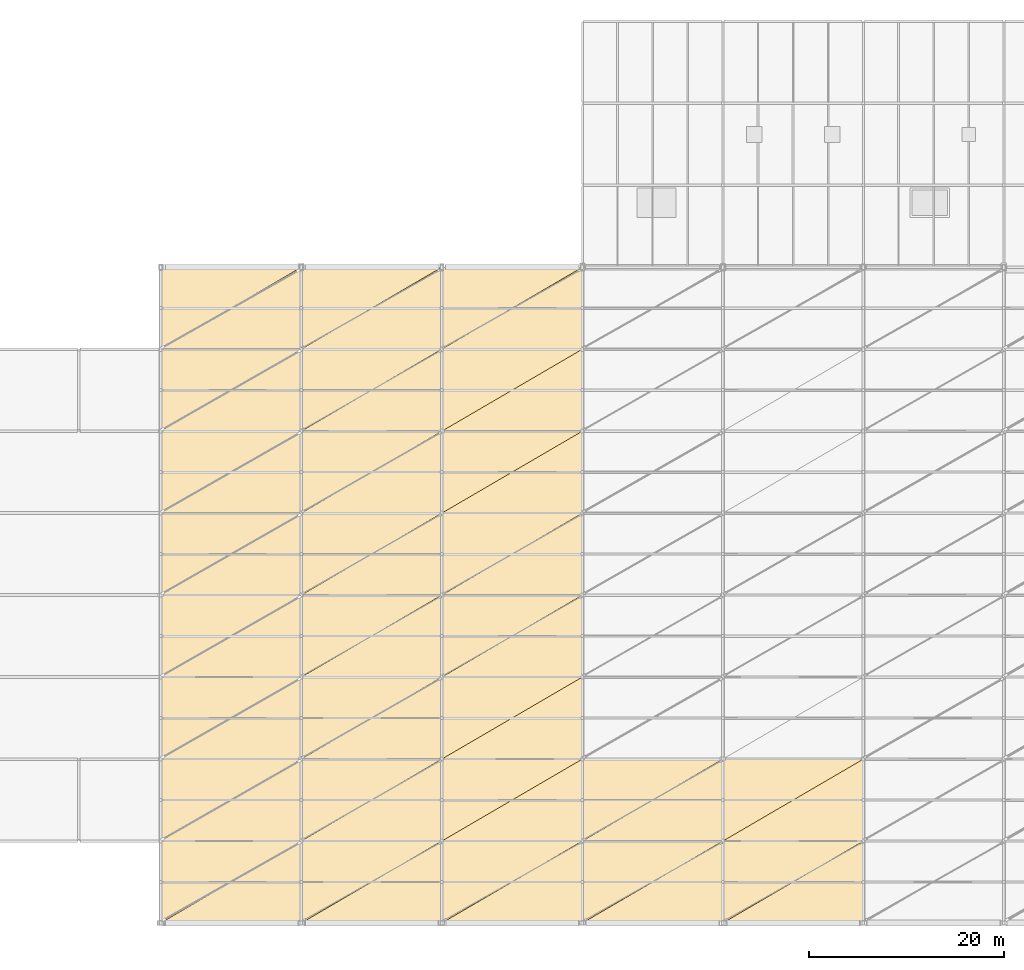
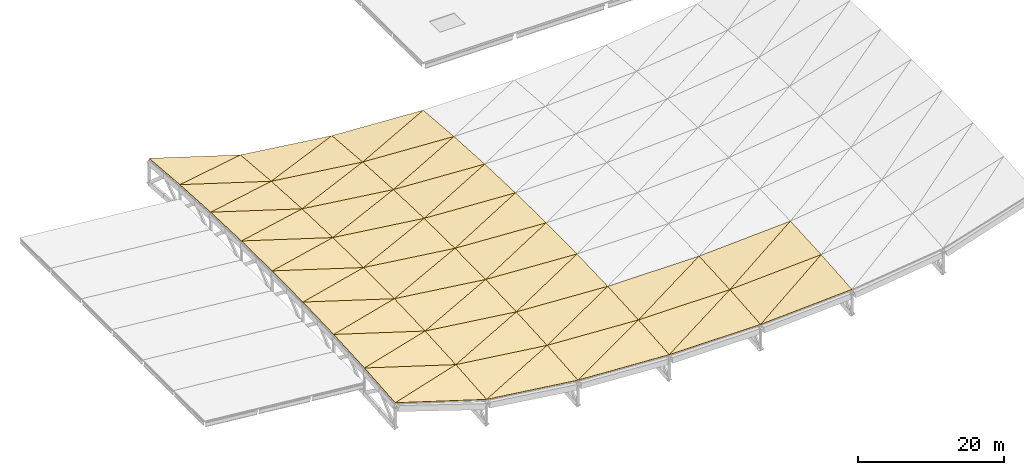
# One storey, part 21 of 22: 56 coverings.
"""IFC4 building model written with IfcOpenShell, lengths in metres."""

from ifc_helpers import new_model, si_unit, direction, frame, origin, place, context, subcontext, project, spatial, polyline, outline, extrude, material, layer, layer_set, type_object, element, save


model = new_model("IFC4")

# Units and contexts
model_context = context("Model", 3, precision=1e-05, world=origin(), true_north=direction((0.0, 1.0)))
body_context = subcontext(model_context, "Body", "Model", "MODEL_VIEW")
ifc_project = project(units=[si_unit("LENGTHUNIT", "METRE"), si_unit("AREAUNIT", "SQUARE_METRE"), si_unit("VOLUMEUNIT", "CUBIC_METRE"), si_unit("PLANEANGLEUNIT", "RADIAN"), si_unit("MASSUNIT", "GRAM", prefix="KILO"), si_unit("THERMODYNAMICTEMPERATUREUNIT", "KELVIN")], contexts=[model_context])

# Site, building, storey
site_placement = place(None, origin())
site = spatial("IfcSite", under=ifc_project, at=site_placement, CompositionType="ELEMENT")
building_placement = place(site_placement, origin())
building = spatial("IfcBuilding", under=site, at=building_placement, Name="Nduvali Passage Aquatics Centre", CompositionType="ELEMENT")
storey_placement = place(building_placement, frame((0.0, 0.0, 21.60009765625)))
storey = spatial("IfcBuildingStorey", under=building, at=storey_placement, Name="RF", CompositionType="ELEMENT", Elevation=21.60009765625)

# Coverings
ifc_material = material(Name="Aluminium EN AW-6063 T6", Category="aluminium")
ifc_layer = layer(ifc_material, 0.06005859375, Name="Aluminium EN AW-6063 T6")
ifc_layer_set = layer_set([ifc_layer], Name="Aluminium EN AW-6063 T6")
covering_type = type_object("IfcCoveringType", Name="ARCH-COV-ROOFING", PredefinedType="ROOFING", material=ifc_layer_set)
covering_1_placement = place(storey_placement, frame((25.199951171875, 25.199951171875, -0.7451171875), z_axis=(0.296052511984, -0.079343294942, 0.951870554065), x_axis=(0.954880958395, 0.0, -0.296988813417)))
element("IfcCovering", 1, at=covering_1_placement, inside=storey, type_object=covering_type, Name="Pool Hall Standing-Seam Roof Cladding B1-P1-T1", PredefinedType="ROOFING", context=body_context, shape_type="SweptSolid", body=[
    extrude(outline(polyline([(0.0, 0.0), (15.080567224399719, 0.0), (14.87261704938042, 8.426712951045271), (0.0, 0.0)])), origin(), (0.0, 0.0, -1.0), 0.06005859375),
])
covering_2_placement = place(storey_placement, frame((25.199951171875, 25.199951171875, -0.7451171875), z_axis=(0.29603843799, -0.079316182928, 0.951877190796), x_axis=(0.842410286637, 0.491409571102, -0.221046471124)))
element("IfcCovering", 2, at=covering_2_placement, inside=storey, type_object=covering_type, Name="Pool Hall Standing-Seam Roof Cladding B1-P1-T2", PredefinedType="ROOFING", context=body_context, shape_type="SweptSolid", body=[
    extrude(outline(polyline([(0.0, 0.0), (17.093982246885457, 8.881784197001252e-16), (3.9731906445826737, 7.434120573663544), (0.0, 0.0)])), origin(), (0.0, 0.0, -1.0), 0.06005859375),
])
covering_3_placement = place(storey_placement, frame((25.199951171875, 33.60009765625, -0.045166015625), z_axis=(0.296495497048, -0.056747493724, 0.953346811075), x_axis=(0.95488554935, 0.0, -0.296974052138)))
element("IfcCovering", 3, at=covering_3_placement, inside=storey, type_object=covering_type, Name="Pool Hall Standing-Seam Roof Cladding B1-P2-T1", PredefinedType="ROOFING", context=body_context, shape_type="SweptSolid", body=[
    extrude(outline(polyline([(0.0, 0.0), (15.0804947191671, -2.7755575615628914e-17), (14.932007693097994, 8.413460107923845), (0.0, 0.0)])), origin(), (0.0, 0.0, -1.0), 0.06005859375),
])
covering_4_placement = place(storey_placement, frame((25.199951171875, 33.60009765625, -0.045166015625), z_axis=(0.296495497048, -0.056747493724, 0.953346811075), x_axis=(0.840189232109, 0.490099701947, -0.232129998923)))
element("IfcCovering", 4, at=covering_4_placement, inside=storey, type_object=covering_type, Name="Pool Hall Standing-Seam Roof Cladding B1-P2-T2", PredefinedType="ROOFING", context=body_context, shape_type="SweptSolid", body=[
    extrude(outline(polyline([(0.0, 0.0), (17.139170479762537, 1.1102230246251565e-16), (4.000724635594311, 7.4028752370066), (0.0, 0.0)])), origin(), (0.0, 0.0, -1.0), 0.06005859375),
])
covering_5_placement = place(storey_placement, frame((25.199951171875, 42.0, 0.454833984375), z_axis=(0.296801729878, -0.034061473047, 0.954331467151), x_axis=(0.95488554935, 0.0, -0.296974052138)))
element("IfcCovering", 5, at=covering_5_placement, inside=storey, type_object=covering_type, Name="Pool Hall Standing-Seam Roof Cladding B1-P3-T1", PredefinedType="ROOFING", context=body_context, shape_type="SweptSolid", body=[
    extrude(outline(polyline([(0.0, 0.0), (15.0804947191671, 2.7755575615628914e-17), (14.991460506270194, 8.404779303712711), (0.0, 0.0)])), origin(), (0.0, 0.0, -1.0), 0.06005859375),
])
covering_6_placement = place(storey_placement, frame((25.199951171875, 42.0, 0.454833984375), z_axis=(0.296816203711, -0.034089014478, 0.954325982202), x_axis=(0.837863510228, 0.488743060423, -0.243135680468)))
element("IfcCovering", 6, at=covering_6_placement, inside=storey, type_object=covering_type, Name="Pool Hall Standing-Seam Roof Cladding B1-P3-T2", PredefinedType="ROOFING", context=body_context, shape_type="SweptSolid", body=[
    extrude(outline(polyline([(0.0, 0.0), (17.18674498720385, 1.2212453270876722e-15), (4.0324414027360325, 7.374808812253794), (0.0, 0.0)])), origin(), (0.0, 0.0, -1.0), 0.06005859375),
])
covering_7_placement = place(storey_placement, frame((25.199951171875, 50.39990234375, 0.7548828125), z_axis=(0.296969589561, -0.011377796709, 0.954819149692), x_axis=(0.954880958395, 0.0, -0.296988813417)))
element("IfcCovering", 7, at=covering_7_placement, inside=storey, type_object=covering_type, Name="Pool Hall Standing-Seam Roof Cladding B1-P4-T1", PredefinedType="ROOFING", context=body_context, shape_type="SweptSolid", body=[
    extrude(outline(polyline([(0.0, 0.0), (15.080567224399719, 0.0), (15.05083934024424, 8.40069025453552), (0.0, 0.0)])), origin(), (0.0, 0.0, -1.0), 0.06005859375),
])
covering_8_placement = place(storey_placement, frame((25.199951171875, 50.39990234375, 0.7548828125), z_axis=(0.296969589561, -0.011377796709, 0.954819149692), x_axis=(0.835441511331, 0.487344422636, -0.254033255442)))
element("IfcCovering", 8, at=covering_8_placement, inside=storey, type_object=covering_type, Name="Pool Hall Standing-Seam Roof Cladding B1-P4-T2", PredefinedType="ROOFING", context=body_context, shape_type="SweptSolid", body=[
    extrude(outline(polyline([(0.0, 0.0), (17.23657047090551, 4.440892098500626e-16), (4.068336405009613, 7.349906080720889), (0.0, 0.0)])), origin(), (0.0, 0.0, -1.0), 0.06005859375),
])
covering_9_placement = place(storey_placement, frame((25.199951171875, 58.800048828125, 0.85498046875), z_axis=(0.296969588444, 0.011378127359, 0.954819146099), x_axis=(0.954880958395, 0.0, -0.296988813417)))
element("IfcCovering", 9, at=covering_9_placement, inside=storey, type_object=covering_type, Name="Pool Hall Standing-Seam Roof Cladding B1-P5-T1", PredefinedType="ROOFING", context=body_context, shape_type="SweptSolid", body=[
    extrude(outline(polyline([(0.0, 0.0), (15.080567224399719, 0.0), (15.110295108555196, 8.40044612971401), (0.0, 0.0)])), origin(), (0.0, 0.0, -1.0), 0.06005859375),
])
covering_10_placement = place(storey_placement, frame((25.199951171875, 58.800048828125, 0.85498046875), z_axis=(0.296969588444, 0.011378127359, 0.954819146099), x_axis=(0.832937274385, 0.485869485487, -0.264851543345)))
element("IfcCovering", 10, at=covering_10_placement, inside=storey, type_object=covering_type, Name="Pool Hall Standing-Seam Roof Cladding B1-P5-T2", PredefinedType="ROOFING", context=body_context, shape_type="SweptSolid", body=[
    extrude(outline(polyline([(0.0, 0.0), (17.288392448283165, 2.220446049250313e-16), (4.1077672486444365, 7.327661779605253), (0.0, 0.0)])), origin(), (0.0, 0.0, -1.0), 0.06005859375),
])
covering_11_placement = place(storey_placement, frame((25.199951171875, 67.199951171875, 0.7548828125), z_axis=(0.296816494255, 0.03406032067, 0.954326916362), x_axis=(0.954880958395, 0.0, -0.296988813417)))
element("IfcCovering", 11, at=covering_11_placement, inside=storey, type_object=covering_type, Name="Pool Hall Standing-Seam Roof Cladding B1-P6-T1", PredefinedType="ROOFING", context=body_context, shape_type="SweptSolid", body=[
    extrude(outline(polyline([(0.0, 0.0), (15.080567224399719, 0.0), (15.169605862797102, 8.405023255796321), (0.0, 0.0)])), origin(), (0.0, 0.0, -1.0), 0.06005859375),
])
covering_12_placement = place(storey_placement, frame((25.199951171875, 67.199951171875, 0.7548828125), z_axis=(0.296801459378, 0.034088188572, 0.954330597388), x_axis=(0.830339869446, 0.484368443247, -0.275541126505)))
element("IfcCovering", 12, at=covering_12_placement, inside=storey, type_object=covering_type, Name="Pool Hall Standing-Seam Roof Cladding B1-P6-T2", PredefinedType="ROOFING", context=body_context, shape_type="SweptSolid", body=[
    extrude(outline(polyline([(0.0, 0.0), (17.342472660006855, -2.220446049250313e-16), (4.1514416677886326, 7.308763393157915), (0.0, 0.0)])), origin(), (0.0, 0.0, -1.0), 0.06005859375),
])
covering_13_placement = place(storey_placement, frame((25.199951171875, 75.60009765625, 0.454833984375), z_axis=(0.296495497048, 0.056747493724, 0.953346811075), x_axis=(0.95488554935, 0.0, -0.296974052138)))
element("IfcCovering", 13, at=covering_13_placement, inside=storey, type_object=covering_type, Name="Pool Hall Standing-Seam Roof Cladding B1-P7-T1", PredefinedType="ROOFING", context=body_context, shape_type="SweptSolid", body=[
    extrude(outline(polyline([(0.0, 0.0), (15.0804947191671, 2.7755575615628914e-17), (15.228981745236208, 8.413460107923843), (0.0, 0.0)])), origin(), (0.0, 0.0, -1.0), 0.06005859375),
])
covering_14_placement = place(storey_placement, frame((25.199951171875, 75.60009765625, 0.454833984375), z_axis=(0.296495497048, 0.056747493724, 0.953346811075), x_axis=(0.827665437779, 0.482794314501, -0.286146069328)))
element("IfcCovering", 14, at=covering_14_placement, inside=storey, type_object=covering_type, Name="Pool Hall Standing-Seam Roof Cladding B1-P7-T2", PredefinedType="ROOFING", context=body_context, shape_type="SweptSolid", body=[
    extrude(outline(polyline([(0.0, 0.0), (17.39851131517762, -7.216449660063518e-16), (4.198498128590666, 7.292528563451598), (0.0, 0.0)])), origin(), (0.0, 0.0, -1.0), 0.06005859375),
])
covering_15_placement = place(storey_placement, frame((25.199951171875, 84.0, -0.045166015625), z_axis=(0.296037734114, 0.079345965595, 0.951874927564), x_axis=(0.95488554935, 0.0, -0.296974052138)))
element("IfcCovering", 15, at=covering_15_placement, inside=storey, type_object=covering_type, Name="Pool Hall Standing-Seam Roof Cladding B1-P8-T1", PredefinedType="ROOFING", context=body_context, shape_type="SweptSolid", body=[
    extrude(outline(polyline([(0.0, 0.0), (15.0804947191671, 0.0), (15.28843455840841, 8.426469835194334), (0.0, 0.0)])), origin(), (0.0, 0.0, -1.0), 0.06005859375),
])
covering_16_placement = place(storey_placement, frame((25.199951171875, 84.0, -0.045166015625), z_axis=(0.296053107585, 0.079318094773, 0.951872469048), x_axis=(0.824899461949, 0.481180863771, -0.296657806264)))
element("IfcCovering", 16, at=covering_16_placement, inside=storey, type_object=covering_type, Name="Pool Hall Standing-Seam Roof Cladding B1-P8-T2", PredefinedType="ROOFING", context=body_context, shape_type="SweptSolid", body=[
    extrude(outline(polyline([(0.0, 0.0), (17.456850378294952, 2.7755575615628914e-16), (4.249518244498318, 7.279415204343126), (0.0, 0.0)])), origin(), (0.0, 0.0, -1.0), 0.06005859375),
])
covering_17_placement = place(storey_placement, frame((39.60009765625, 25.199951171875, -5.223876953125), z_axis=(0.126026402554, -0.082376215314, 0.988600781413), x_axis=(0.99197219333, 0.0, -0.126456188696)))
element("IfcCovering", 17, at=covering_17_placement, inside=storey, type_object=covering_type, Name="Pool Hall Standing-Seam Roof Cladding B2-P1-T1", PredefinedType="ROOFING", context=body_context, shape_type="SweptSolid", body=[
    extrude(outline(polyline([(0.0, 0.0), (14.516437497512612, 0.0), (14.427924340044202, 8.428793390688957), (0.0, 0.0)])), origin(), (0.0, 0.0, -1.0), 0.06005859375),
])
covering_18_placement = place(storey_placement, frame((39.60009765625, 25.199951171875, -5.223876953125), z_axis=(0.126042598973, -0.08240457871, 0.988596352741), x_axis=(0.861776021056, 0.502714854641, -0.067969584788)))
element("IfcCovering", 18, at=covering_18_placement, inside=storey, type_object=covering_type, Name="Pool Hall Standing-Seam Roof Cladding B2-P1-T2", PredefinedType="ROOFING", context=body_context, shape_type="SweptSolid", body=[
    extrude(outline(polyline([(0.0, 0.0), (16.7095648891574, -3.3306690738754696e-16), (4.175286434198694, 7.322548574574361), (0.0, 0.0)])), origin(), (0.0, 0.0, -1.0), 0.06005859375),
])
covering_19_placement = place(storey_placement, frame((39.60009765625, 33.60009765625, -4.523681640625), z_axis=(0.126252839657, -0.058943860519, 0.990245344238), x_axis=(0.991970083502, 0.0, -0.126472737919)))
element("IfcCovering", 19, at=covering_19_placement, inside=storey, type_object=covering_type, Name="Pool Hall Standing-Seam Roof Cladding B2-P2-T1", PredefinedType="ROOFING", context=body_context, shape_type="SweptSolid", body=[
    extrude(outline(polyline([(0.0, 0.0), (14.516468372625727, 0.0), (14.453232003666246, 8.414532699216133), (0.0, 0.0)])), origin(), (0.0, 0.0, -1.0), 0.06005859375),
])
covering_20_placement = place(storey_placement, frame((39.60009765625, 33.60009765625, -4.523681640625), z_axis=(0.126252839657, -0.058943860519, 0.990245344238), x_axis=(0.861019722397, 0.50225907173, -0.079880301125)))
element("IfcCovering", 20, at=covering_20_placement, inside=storey, type_object=covering_type, Name="Pool Hall Standing-Seam Roof Cladding B2-P2-T2", PredefinedType="ROOFING", context=body_context, shape_type="SweptSolid", body=[
    extrude(outline(polyline([(0.0, 0.0), (16.724242162142346, -6.38378239159465e-16), (4.178987003234346, 7.3037269261203335), (0.0, 0.0)])), origin(), (0.0, 0.0, -1.0), 0.06005859375),
])
covering_21_placement = place(storey_placement, frame((39.60009765625, 42.0, -4.023681640625), z_axis=(0.12639341645, -0.035411457741, 0.991347937376), x_axis=(0.991970083502, 0.0, -0.126472737919)))
element("IfcCovering", 21, at=covering_21_placement, inside=storey, type_object=covering_type, Name="Pool Hall Standing-Seam Roof Cladding B2-P3-T1", PredefinedType="ROOFING", context=body_context, shape_type="SweptSolid", body=[
    extrude(outline(polyline([(0.0, 0.0), (14.516468372625727, 0.0), (14.478520375823383, 8.405173920469142), (0.0, 0.0)])), origin(), (0.0, 0.0, -1.0), 0.06005859375),
])
covering_22_placement = place(storey_placement, frame((39.60009765625, 42.0, -4.023681640625), z_axis=(0.126377006162, -0.035382755761, 0.991351054323), x_axis=(0.860137243691, 0.501744294979, -0.091741945001)))
element("IfcCovering", 22, at=covering_22_placement, inside=storey, type_object=covering_type, Name="Pool Hall Standing-Seam Roof Cladding B2-P3-T2", PredefinedType="ROOFING", context=body_context, shape_type="SweptSolid", body=[
    extrude(outline(polyline([(0.0, 0.0), (16.74140080478535, -6.38378239159465e-16), (4.187098414201621, 7.288103258391306), (0.0, 0.0)])), origin(), (0.0, 0.0, -1.0), 0.06005859375),
])
covering_23_placement = place(storey_placement, frame((39.60009765625, 50.39990234375, -3.723876953125), z_axis=(0.126447355097, -0.011819693337, 0.991902899098), x_axis=(0.99197219333, 0.0, -0.126456188696)))
element("IfcCovering", 23, at=covering_23_placement, inside=storey, type_object=covering_type, Name="Pool Hall Standing-Seam Roof Cladding B2-P4-T1", PredefinedType="ROOFING", context=body_context, shape_type="SweptSolid", body=[
    extrude(outline(polyline([(0.0, 0.0), (14.516437497512612, 0.0), (14.503779529405865, 8.400733317728152), (0.0, 0.0)])), origin(), (0.0, 0.0, -1.0), 0.06005859375),
])
covering_24_placement = place(storey_placement, frame((39.60009765625, 50.39990234375, -3.723876953125), z_axis=(0.126447355097, -0.011819693337, 0.991902899098), x_axis=(0.859130202872, 0.501171423319, -0.103549500055)))
element("IfcCovering", 24, at=covering_24_placement, inside=storey, type_object=covering_type, Name="Pool Hall Standing-Seam Roof Cladding B2-P4-T2", PredefinedType="ROOFING", context=body_context, shape_type="SweptSolid", body=[
    extrude(outline(polyline([(0.0, 0.0), (16.761024458940458, -2.0261570199409107e-15), (4.199548307402618, 7.275731888513774), (0.0, 0.0)])), origin(), (0.0, 0.0, -1.0), 0.06005859375),
])
covering_25_placement = place(storey_placement, frame((39.60009765625, 58.800048828125, -3.623779296875), z_axis=(0.126447354583, 0.011820036824, 0.99190289507), x_axis=(0.99197219333, 0.0, -0.126456188696)))
element("IfcCovering", 25, at=covering_25_placement, inside=storey, type_object=covering_type, Name="Pool Hall Standing-Seam Roof Cladding B2-P5-T1", PredefinedType="ROOFING", context=body_context, shape_type="SweptSolid", body=[
    extrude(outline(polyline([(0.0, 0.0), (14.516437497512612, 3.469446951953614e-18), (14.529095465619362, 8.400489194158093), (0.0, 0.0)])), origin(), (0.0, 0.0, -1.0), 0.06005859375),
])
covering_26_placement = place(storey_placement, frame((39.60009765625, 58.800048828125, -3.623779296875), z_axis=(0.126447354583, 0.011820036824, 0.99190289507), x_axis=(0.858014791245, 0.500506203716, -0.115343651958)))
element("IfcCovering", 26, at=covering_26_placement, inside=storey, type_object=covering_type, Name="Pool Hall Standing-Seam Roof Cladding B2-P5-T2", PredefinedType="ROOFING", context=body_context, shape_type="SweptSolid", body=[
    extrude(outline(polyline([(0.0, 0.0), (16.782813642242708, 5.551115123125783e-16), (4.215748862878747, 7.266074624614038), (0.0, 0.0)])), origin(), (0.0, 0.0, -1.0), 0.06005859375),
])
covering_27_placement = place(storey_placement, frame((39.60009765625, 67.199951171875, -3.723876953125), z_axis=(0.126376881875, 0.035410505058, 0.991350079366), x_axis=(0.99197219333, 0.0, -0.126456188696)))
element("IfcCovering", 27, at=covering_27_placement, inside=storey, type_object=covering_type, Name="Pool Hall Standing-Seam Roof Cladding B2-P6-T1", PredefinedType="ROOFING", context=body_context, shape_type="SweptSolid", body=[
    extrude(outline(polyline([(0.0, 0.0), (14.516437497512612, -1.3877787807814457e-17), (14.554380528739916, 8.405417930394545), (0.0, 0.0)])), origin(), (0.0, 0.0, -1.0), 0.06005859375),
])
covering_28_placement = place(storey_placement, frame((39.60009765625, 67.199951171875, -3.723876953125), z_axis=(0.126393549958, 0.03538165353, 0.991348984527), x_axis=(0.856771265539, 0.499795343213, -0.127073260163)))
element("IfcCovering", 28, at=covering_28_placement, inside=storey, type_object=covering_type, Name="Pool Hall Standing-Seam Roof Cladding B2-P6-T2", PredefinedType="ROOFING", context=body_context, shape_type="SweptSolid", body=[
    extrude(outline(polyline([(0.0, 0.0), (16.807172372530776, 1.4155343563970746e-15), (4.236451254253436, 7.259808852851373), (0.0, 0.0)])), origin(), (0.0, 0.0, -1.0), 0.06005859375),
])
covering_29_placement = place(storey_placement, frame((39.60009765625, 75.60009765625, -4.023681640625), z_axis=(0.126252839657, 0.058943860519, 0.990245344238), x_axis=(0.991970083502, 0.0, -0.126472737919)))
element("IfcCovering", 29, at=covering_29_placement, inside=storey, type_object=covering_type, Name="Pool Hall Standing-Seam Roof Cladding B2-P7-T1", PredefinedType="ROOFING", context=body_context, shape_type="SweptSolid", body=[
    extrude(outline(polyline([(0.0, 0.0), (14.516468372625727, 0.0), (14.579704741585209, 8.414532699216135), (0.0, 0.0)])), origin(), (0.0, 0.0, -1.0), 0.06005859375),
])
covering_30_placement = place(storey_placement, frame((39.60009765625, 75.60009765625, -4.023681640625), z_axis=(0.126252839657, 0.058943860519, 0.990245344238), x_axis=(0.855423079656, 0.498994379279, -0.138765861214)))
element("IfcCovering", 30, at=covering_30_placement, inside=storey, type_object=covering_type, Name="Pool Hall Standing-Seam Roof Cladding B2-P7-T2", PredefinedType="ROOFING", context=body_context, shape_type="SweptSolid", body=[
    extrude(outline(polyline([(0.0, 0.0), (16.833661244600943, 2.3592239273284576e-16), (4.260886986634683, 7.256252577719712), (0.0, 0.0)])), origin(), (0.0, 0.0, -1.0), 0.06005859375),
])
covering_31_placement = place(storey_placement, frame((39.60009765625, 84.0, -4.523681640625), z_axis=(0.126042872491, 0.082378419284, 0.988598498042), x_axis=(0.991970083502, 0.0, -0.126472737919)))
element("IfcCovering", 31, at=covering_31_placement, inside=storey, type_object=covering_type, Name="Pool Hall Standing-Seam Roof Cladding B2-P8-T1", PredefinedType="ROOFING", context=body_context, shape_type="SweptSolid", body=[
    extrude(outline(polyline([(0.0, 0.0), (14.516468372625727, 0.0), (14.604993113742344, 8.428549958193056), (0.0, 0.0)])), origin(), (0.0, 0.0, -1.0), 0.06005859375),
])
covering_32_placement = place(storey_placement, frame((39.60009765625, 84.0, -4.523681640625), z_axis=(0.12602607934, 0.082407131591, 0.988598245997), x_axis=(0.85395654749, 0.498138906326, -0.150385654247)))
element("IfcCovering", 32, at=covering_32_placement, inside=storey, type_object=covering_type, Name="Pool Hall Standing-Seam Roof Cladding B2-P8-T2", PredefinedType="ROOFING", context=body_context, shape_type="SweptSolid", body=[
    extrude(outline(polyline([(0.0, 0.0), (16.8625703334402, 1.491862189340054e-16), (4.289617496934013, 7.255881379279935), (0.0, 0.0)])), origin(), (0.0, 0.0, -1.0), 0.06005859375),
])
covering_33_placement = place(storey_placement, frame((54.0, 25.199951171875, -7.0595703125), z_axis=(0.054660457866, -0.082914146649, 0.99505652032), x_axis=(0.99849464295, 0.0, -0.054849320863)))
element("IfcCovering", 33, at=covering_33_placement, inside=storey, type_object=covering_type, Name="Pool Hall Standing-Seam Roof Cladding B3-P1-T1", PredefinedType="ROOFING", context=body_context, shape_type="SweptSolid", body=[
    extrude(outline(polyline([(0.0, 0.0), (14.421612019068148, -1.3877787807814457e-17), (14.383220172653328, 8.429170698716199), (0.0, 0.0)])), origin(), (0.0, 0.0, -1.0), 0.06005859375),
])
covering_34_placement = place(storey_placement, frame((54.0, 25.199951171875, -7.0595703125), z_axis=(0.054660457866, -0.082914146649, 0.99505652032), x_axis=(0.863760702691, 0.503872613636, -0.005462390935)))
element("IfcCovering", 34, at=covering_34_placement, inside=storey, type_object=covering_type, Name="Pool Hall Standing-Seam Roof Cladding B3-P1-T2", PredefinedType="ROOFING", context=body_context, shape_type="SweptSolid", body=[
    extrude(outline(polyline([(0.0, 0.0), (16.671170960766897, 3.174543961037557e-16), (4.2287803570717895, 7.291763112828795), (0.0, 0.0)])), origin(), (0.0, 0.0, -1.0), 0.06005859375),
])
covering_35_placement = place(storey_placement, frame((54.0, 33.60009765625, -6.359619140625), z_axis=(0.054752698975, -0.059330196132, 0.996735707087), x_axis=(0.99849464295, 0.0, -0.054849320863)))
element("IfcCovering", 35, at=covering_35_placement, inside=storey, type_object=covering_type, Name="Pool Hall Standing-Seam Roof Cladding B3-P2-T1", PredefinedType="ROOFING", context=body_context, shape_type="SweptSolid", body=[
    extrude(outline(polyline([(0.0, 0.0), (14.421612019068148, 0.0), (14.394187358636495, 8.41472562075181), (0.0, 0.0)])), origin(), (0.0, 0.0, -1.0), 0.06005859375),
])
covering_36_placement = place(storey_placement, frame((54.0, 33.60009765625, -6.359619140625), z_axis=(0.054752698975, -0.059330196132, 0.996735707087), x_axis=(0.86364838207, 0.503792449112, -0.017453949873)))
element("IfcCovering", 36, at=covering_36_placement, inside=storey, type_object=covering_type, Name="Pool Hall Standing-Seam Roof Cladding B3-P2-T2", PredefinedType="ROOFING", context=body_context, shape_type="SweptSolid", body=[
    extrude(outline(polyline([(0.0, 0.0), (16.67333910733143, -1.033895191682177e-15), (4.223080399119065, 7.278320639207447), (0.0, 0.0)])), origin(), (0.0, 0.0, -1.0), 0.06005859375),
])
covering_37_placement = place(storey_placement, frame((54.0, 42.0, -5.859619140625), z_axis=(0.054814466752, -0.035644077233, 0.997860147512), x_axis=(0.99849464295, 0.0, -0.054849320863)))
element("IfcCovering", 37, at=covering_37_placement, inside=storey, type_object=covering_type, Name="Pool Hall Standing-Seam Roof Cladding B3-P3-T1", PredefinedType="ROOFING", context=body_context, shape_type="SweptSolid", body=[
    extrude(outline(polyline([(0.0, 0.0), (14.421612019068148, -3.469446951953614e-18), (14.405154544619661, 8.405243472697903), (0.0, 0.0)])), origin(), (0.0, 0.0, -1.0), 0.06005859375),
])
covering_38_placement = place(storey_placement, frame((54.0, 42.0, -5.859619140625), z_axis=(0.054814466752, -0.035644077233, 0.997860147512), x_axis=(0.863405609511, 0.503650832472, -0.029437941757)))
element("IfcCovering", 38, at=covering_38_placement, inside=storey, type_object=covering_type, Name="Pool Hall Standing-Seam Roof Cladding B3-P3-T2", PredefinedType="ROOFING", context=body_context, shape_type="SweptSolid", body=[
    extrude(outline(polyline([(0.0, 0.0), (16.678027320091164, -3.469446951953614e-17), (4.221784988184158, 7.268075412193991), (0.0, 0.0)])), origin(), (0.0, 0.0, -1.0), 0.06005859375),
])
covering_39_placement = place(storey_placement, frame((54.0, 50.39990234375, -5.5595703125), z_axis=(0.054845438817, -0.011897399625, 0.998423972931), x_axis=(0.99849464295, 0.0, -0.054849320863)))
element("IfcCovering", 39, at=covering_39_placement, inside=storey, type_object=covering_type, Name="Pool Hall Standing-Seam Roof Cladding B3-P4-T1", PredefinedType="ROOFING", context=body_context, shape_type="SweptSolid", body=[
    extrude(outline(polyline([(0.0, 0.0), (14.421612019068148, 0.0), (14.416121730602827, 8.400741059958758), (0.0, 0.0)])), origin(), (0.0, 0.0, -1.0), 0.06005859375),
])
covering_40_placement = place(storey_placement, frame((54.0, 50.39990234375, -5.5595703125), z_axis=(0.054845438817, -0.011897399625, 0.998423972931), x_axis=(0.863032714856, 0.50344794378, -0.041408948205)))
element("IfcCovering", 40, at=covering_40_placement, inside=storey, type_object=covering_type, Name="Pool Hall Standing-Seam Roof Cladding B3-P4-T2", PredefinedType="ROOFING", context=body_context, shape_type="SweptSolid", body=[
    extrude(outline(polyline([(0.0, 0.0), (16.68523347478351, -1.6202317265623378e-15), (4.224891536349297, 7.261044828798987), (0.0, 0.0)])), origin(), (0.0, 0.0, -1.0), 0.06005859375),
])
covering_41_placement = place(storey_placement, frame((54.0, 58.800048828125, -5.45947265625), z_axis=(0.054845438591, 0.011897745371, 0.998423968823), x_axis=(0.99849464295, 0.0, -0.054849320863)))
element("IfcCovering", 41, at=covering_41_placement, inside=storey, type_object=covering_type, Name="Pool Hall Standing-Seam Roof Cladding B3-P5-T1", PredefinedType="ROOFING", context=body_context, shape_type="SweptSolid", body=[
    extrude(outline(polyline([(0.0, 0.0), (14.421612019068148, 1.734723475976807e-18), (14.42710230753347, 8.400496936613694), (0.0, 0.0)])), origin(), (0.0, 0.0, -1.0), 0.06005859375),
])
covering_42_placement = place(storey_placement, frame((54.0, 58.800048828125, -5.45947265625), z_axis=(0.054845438591, 0.011897745371, 0.998423968823), x_axis=(0.862548570269, 0.503150895335, -0.053377340231)))
element("IfcCovering", 42, at=covering_42_placement, inside=storey, type_object=covering_type, Name="Pool Hall Standing-Seam Roof Cladding B3-P5-T2", PredefinedType="ROOFING", context=body_context, shape_type="SweptSolid", body=[
    extrude(outline(polyline([(0.0, 0.0), (16.694598820399776, -6.626643678231403e-16), (4.231761331641952, 7.25676063800808), (0.0, 0.0)])), origin(), (0.0, 0.0, -1.0), 0.06005859375),
])
covering_43_placement = place(storey_placement, frame((54.0, 67.199951171875, -5.5595703125), z_axis=(0.054814468776, 0.035643042595, 0.997860184358), x_axis=(0.99849464295, 0.0, -0.054849320863)))
element("IfcCovering", 43, at=covering_43_placement, inside=storey, type_object=covering_type, Name="Pool Hall Standing-Seam Roof Cladding B3-P6-T1", PredefinedType="ROOFING", context=body_context, shape_type="SweptSolid", body=[
    extrude(outline(polyline([(0.0, 0.0), (14.421612019068148, 6.938893903907228e-18), (14.438069493516636, 8.405487458187753), (0.0, 0.0)])), origin(), (0.0, 0.0, -1.0), 0.06005859375),
])
covering_44_placement = place(storey_placement, frame((54.0, 67.199951171875, -5.5595703125), z_axis=(0.054814468776, 0.035643042595, 0.997860184358), x_axis=(0.861929597235, 0.502804442916, -0.06530743905)))
element("IfcCovering", 44, at=covering_44_placement, inside=storey, type_object=covering_type, Name="Pool Hall Standing-Seam Roof Cladding B3-P6-T2", PredefinedType="ROOFING", context=body_context, shape_type="SweptSolid", body=[
    extrude(outline(polyline([(0.0, 0.0), (16.706587626124236, 3.2829641782861074e-16), (4.243226394040854, 7.255861081024907), (0.0, 0.0)])), origin(), (0.0, 0.0, -1.0), 0.06005859375),
])
covering_45_placement = place(storey_placement, frame((54.0, 75.60009765625, -5.859619140625), z_axis=(0.054752698975, 0.059330196132, 0.996735707087), x_axis=(0.99849464295, 0.0, -0.054849320863)))
element("IfcCovering", 45, at=covering_45_placement, inside=storey, type_object=covering_type, Name="Pool Hall Standing-Seam Roof Cladding B3-P7-T1", PredefinedType="ROOFING", context=body_context, shape_type="SweptSolid", body=[
    extrude(outline(polyline([(0.0, 0.0), (14.421612019068148, 0.0), (14.449036679499802, 8.41472562075181), (0.0, 0.0)])), origin(), (0.0, 0.0, -1.0), 0.06005859375),
])
covering_46_placement = place(storey_placement, frame((54.0, 75.60009765625, -5.859619140625), z_axis=(0.054752698975, 0.059330196132, 0.996735707087), x_axis=(0.861201415256, 0.502365058718, -0.077210557185)))
element("IfcCovering", 46, at=covering_46_placement, inside=storey, type_object=covering_type, Name="Pool Hall Standing-Seam Roof Cladding B3-P7-T2", PredefinedType="ROOFING", context=body_context, shape_type="SweptSolid", body=[
    extrude(outline(polyline([(0.0, 0.0), (16.72071374786578, 7.806255641895632e-16), (4.258422712734088, 7.257699041997209), (0.0, 0.0)])), origin(), (0.0, 0.0, -1.0), 0.06005859375),
])
covering_47_placement = place(storey_placement, frame((54.0, 84.0, -6.359619140625), z_axis=(0.054660446944, 0.082916539956, 0.995056321492), x_axis=(0.99849464295, 0.0, -0.054849320863)))
element("IfcCovering", 47, at=covering_47_placement, inside=storey, type_object=covering_type, Name="Pool Hall Standing-Seam Roof Cladding B3-P8-T1", PredefinedType="ROOFING", context=body_context, shape_type="SweptSolid", body=[
    extrude(outline(polyline([(0.0, 0.0), (14.421612019068148, 1.3877787807814457e-17), (14.460003865482967, 8.428927398766392), (0.0, 0.0)])), origin(), (0.0, 0.0, -1.0), 0.06005859375),
])
covering_48_placement = place(storey_placement, frame((54.0, 84.0, -6.359619140625), z_axis=(0.054660446944, 0.082916539956, 0.995056321492), x_axis=(0.860345962594, 0.501866047082, -0.089080275229)))
element("IfcCovering", 48, at=covering_48_placement, inside=storey, type_object=covering_type, Name="Pool Hall Standing-Seam Roof Cladding B3-P8-T2", PredefinedType="ROOFING", context=body_context, shape_type="SweptSolid", body=[
    extrude(outline(polyline([(0.0, 0.0), (16.73733936094555, -1.3877787807814457e-17), (4.277977628171308, 7.26272665329019), (0.0, 0.0)])), origin(), (0.0, 0.0, -1.0), 0.06005859375),
])
covering_49_placement = place(storey_placement, frame((68.39990234375, 25.199951171875, -7.8505859375), z_axis=(0.0, -0.083038288919, 0.996546357463), x_axis=(1.0, 0.0, 0.0)))
element("IfcCovering", 49, at=covering_49_placement, inside=storey, type_object=covering_type, Name="Pool Hall Standing-Seam Roof Cladding B4-P1-T1", PredefinedType="ROOFING", context=body_context, shape_type="SweptSolid", body=[
    extrude(outline(polyline([(0.0, 0.0), (14.400146484375, 0.0), (14.400146484375, 8.429258128801541), (0.0, 0.0)])), origin(), (0.0, 0.0, -1.0), 0.06005859375),
])
covering_50_placement = place(storey_placement, frame((68.39990234375, 25.199951171875, -7.8505859375), z_axis=(0.0, -0.083038288919, 0.996546357463), x_axis=(0.863016975351, 0.50343022686, 0.041948860999)))
element("IfcCovering", 50, at=covering_50_placement, inside=storey, type_object=covering_type, Name="Pool Hall Standing-Seam Roof Cladding B4-P1-T2", PredefinedType="ROOFING", context=body_context, shape_type="SweptSolid", body=[
    extrude(outline(polyline([(0.0, 0.0), (16.685820668262757, 3.122502256758253e-16), (4.25824980470466, 7.274592854771983), (0.0, 0.0)])), origin(), (0.0, 0.0, -1.0), 0.06005859375),
])
covering_51_placement = place(storey_placement, frame((68.39990234375, 33.60009765625, -7.150634765625), z_axis=(0.0, -0.059419328339, 0.998233110761), x_axis=(1.0, 0.0, 0.0)))
element("IfcCovering", 51, at=covering_51_placement, inside=storey, type_object=covering_type, Name="Pool Hall Standing-Seam Roof Cladding B4-P2-T1", PredefinedType="ROOFING", context=body_context, shape_type="SweptSolid", body=[
    extrude(outline(polyline([(0.0, 0.0), (14.400146484375, 0.0), (14.400146484375, 8.414770310860346), (0.0, 0.0)])), origin(), (0.0, 0.0, -1.0), 0.06005859375),
])
covering_52_placement = place(storey_placement, frame((68.39990234375, 33.60009765625, -7.150634765625), z_axis=(0.0, -0.059419328339, 0.998233110761), x_axis=(0.863395442994, 0.503636363217, 0.029978703478)))
element("IfcCovering", 52, at=covering_52_placement, inside=storey, type_object=covering_type, Name="Pool Hall Standing-Seam Roof Cladding B4-P2-T2", PredefinedType="ROOFING", context=body_context, shape_type="SweptSolid", body=[
    extrude(outline(polyline([(0.0, 0.0), (16.67850647258304, 6.938893903907228e-16), (4.245485619526848, 7.265274340238467), (0.0, 0.0)])), origin(), (0.0, 0.0, -1.0), 0.06005859375),
])
covering_53_placement = place(storey_placement, frame((82.800048828125, 25.199951171875, -7.8505859375), z_axis=(-0.054660457866, -0.082914146649, 0.99505652032), x_axis=(0.99849464295, 0.0, 0.054849320863)))
element("IfcCovering", 53, at=covering_53_placement, inside=storey, type_object=covering_type, Name="Pool Hall Standing-Seam Roof Cladding B5-P1-T1", PredefinedType="ROOFING", context=body_context, shape_type="SweptSolid", body=[
    extrude(outline(polyline([(0.0, 0.0), (14.421612019068148, 1.3877787807814457e-17), (14.460003865482967, 8.429170698716199), (0.0, 0.0)])), origin(), (0.0, 0.0, -1.0), 0.06005859375),
])
covering_54_placement = place(storey_placement, frame((82.800048828125, 25.199951171875, -7.8505859375), z_axis=(-0.054660457866, -0.082914146649, 0.99505652032), x_axis=(0.860339664399, 0.501876959631, 0.089079623114)))
element("IfcCovering", 54, at=covering_54_placement, inside=storey, type_object=covering_type, Name="Pool Hall Standing-Seam Roof Cladding B5-P1-T2", PredefinedType="ROOFING", context=body_context, shape_type="SweptSolid", body=[
    extrude(outline(polyline([(0.0, 0.0), (16.737461888168056, 1.3877787807814457e-16), (4.278191364622397, 7.262883122399618), (0.0, 0.0)])), origin(), (0.0, 0.0, -1.0), 0.06005859375),
])
covering_55_placement = place(storey_placement, frame((82.800048828125, 33.60009765625, -7.150634765625), z_axis=(-0.054752698975, -0.059330196132, 0.996735707087), x_axis=(0.99849464295, 0.0, 0.054849320863)))
element("IfcCovering", 55, at=covering_55_placement, inside=storey, type_object=covering_type, Name="Pool Hall Standing-Seam Roof Cladding B5-P2-T1", PredefinedType="ROOFING", context=body_context, shape_type="SweptSolid", body=[
    extrude(outline(polyline([(0.0, 0.0), (14.421612019068148, 0.0), (14.449036679499802, 8.41472562075181), (0.0, 0.0)])), origin(), (0.0, 0.0, -1.0), 0.06005859375),
])
covering_56_placement = place(storey_placement, frame((82.800048828125, 33.60009765625, -7.150634765625), z_axis=(-0.054752698975, -0.059330196132, 0.996735707087), x_axis=(0.861201415256, 0.502365058718, 0.077210557185)))
element("IfcCovering", 56, at=covering_56_placement, inside=storey, type_object=covering_type, Name="Pool Hall Standing-Seam Roof Cladding B5-P2-T2", PredefinedType="ROOFING", context=body_context, shape_type="SweptSolid", body=[
    extrude(outline(polyline([(0.0, 0.0), (16.72071374786578, 7.806255641895632e-16), (4.258422712734088, 7.257699041997209), (0.0, 0.0)])), origin(), (0.0, 0.0, -1.0), 0.06005859375),
])

save(model, "model.ifc")
